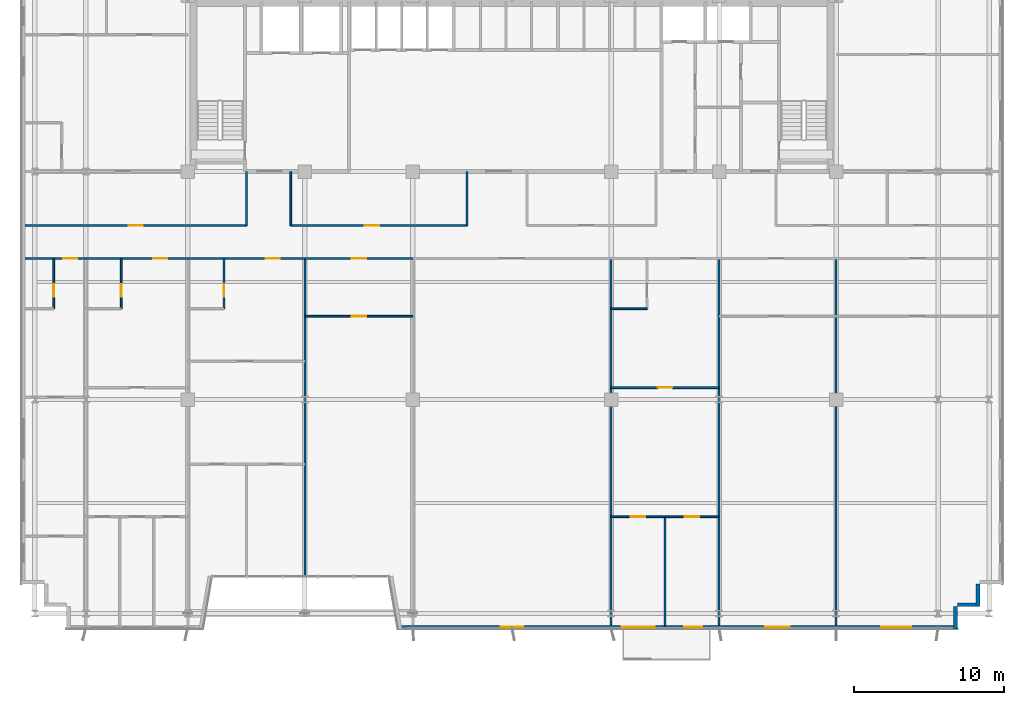
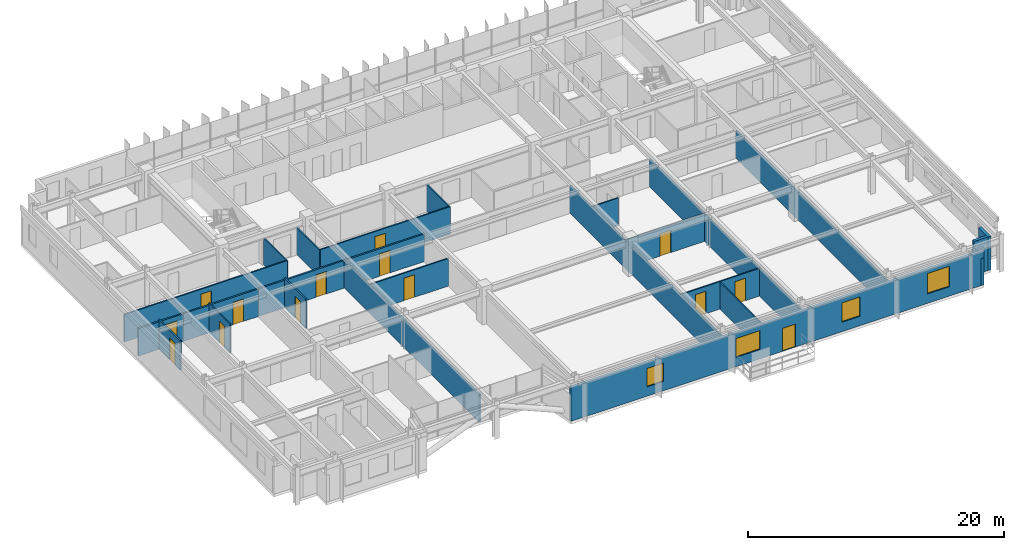
# One storey, part 19 of 25: 26 walls, 14 doors, 4 windows, 18 openings.
"""IFC4 building model written with IfcOpenShell, lengths in metres."""

from ifc_helpers import new_model, si_unit, direction, frame, frame_2d, origin, place, context, subcontext, project, spatial, rectangle, extrude, source, transform, mapped, material, layer, layer_set, type_object, element, fill, save


model = new_model("IFC4")

# Units and contexts
model_context = context("Model", 3, precision=1e-05, world=origin(), true_north=direction((0.0, 1.0)))
body_context = subcontext(model_context, "Body", "Model", "MODEL_VIEW")
ifc_project = project(units=[si_unit("LENGTHUNIT", "METRE"), si_unit("AREAUNIT", "SQUARE_METRE"), si_unit("VOLUMEUNIT", "CUBIC_METRE"), si_unit("PLANEANGLEUNIT", "RADIAN"), si_unit("MASSUNIT", "GRAM", prefix="KILO")], contexts=[model_context])

# Site, building, storey
site_placement = place(None, origin())
site = spatial("IfcSite", under=ifc_project, at=site_placement, CompositionType="ELEMENT")
building_placement = place(site_placement, origin())
building = spatial("IfcBuilding", under=site, at=building_placement, Name="Trelvane Seafront Commons", CompositionType="ELEMENT")
storey_placement = place(building_placement, frame((0.0, 0.0, 70.300048828125)))
storey = spatial("IfcBuildingStorey", under=building, at=storey_placement, Name="L18", CompositionType="ELEMENT", Elevation=70.300048828125)

# Walls
ifc_material_1 = material(Name="Precast concrete C40/50", Category="concrete")
ifc_layer_1 = layer(ifc_material_1, 0.260009765625, Name="ARCH-WALL-EXT260")
ifc_layer_set_1 = layer_set([ifc_layer_1], Name="Precast concrete C40/50")
wall_type_1 = type_object("IfcWallType", Name="ARCH-WALL-EXT260", PredefinedType="SOLIDWALL", material=ifc_layer_set_1)
for number, where, z_axis, x_axis, name in (
    (1, (68.27001953125, 5.89990234375, 0.0), (0.0, 0.0, 1.0), (0.0, -1.0, 0.0), "EW-L18-00341"),
    (2, (68.39990234375, 4.530029296875, 0.0), (0.0, 0.0, 1.0), (-1.0, 0.0, 0.0), "EW-L18-00342"),
):
    element("IfcWall", number, at=place(storey_placement, frame(where, z_axis=z_axis, x_axis=x_axis)), inside=storey, type_object=wall_type_1, Name=name, PredefinedType="SOLIDWALL", context=body_context, shape_type="SweptSolid", body=[
        extrude(rectangle(XDim=1.5, YDim=0.260009765625, at=frame_2d((0.75, 0.0))), origin(), (0.0, 0.0, 1.0), 3.219970703125),
    ])
wall_1_placement = place(storey_placement, frame((66.77001953125, 4.39990234375, 0.0), z_axis=(0.0, 0.0, 1.0), x_axis=(0.0, -1.0, 0.0)))
element("IfcWall", 3, at=wall_1_placement, inside=storey, type_object=wall_type_1, Name="EW-L18-00343", PredefinedType="SOLIDWALL", context=body_context, shape_type="SweptSolid", body=[
    extrude(rectangle(XDim=1.5, YDim=0.260009765625, at=frame_2d((0.75, 0.0))), origin(), (0.0, 0.0, 1.0), 2.570068359375),
])

# Wall, openings, door, windows
wall_2_placement = place(storey_placement, frame((66.89990234375, 3.030029296875, 0.0), z_axis=(0.0, 0.0, 1.0), x_axis=(-1.0, 0.0, 0.0)))
wall_2 = element("IfcWall", 4, at=wall_2_placement, inside=storey, type_object=wall_type_1, Name="EW-L18-00344", PredefinedType="SOLIDWALL", context=body_context, shape_type="SweptSolid", body=[
    extrude(rectangle(XDim=37.2998046875, YDim=0.260009765625, at=frame_2d((18.64990234375, 0.0))), origin(), (0.0, 0.0, 1.0), 3.219970703125),
])
opening_1_placement = place(wall_2_placement, frame((3.094970703125, 0.0, 0.89990234375)))
opening_1 = element("IfcOpeningElement", 5, at=opening_1_placement, cuts=wall_2, Name="Opening W06", PredefinedType="OPENING", context=body_context, shape_type="SweptSolid", body=[
    extrude(rectangle(XDim=2.0, YDim=1.949951171875, at=frame_2d((1.0, 0.97509765625))), frame((0.0, 0.139892578125, 0.0), z_axis=(0.0, -1.0, 0.0), x_axis=(1.0, 0.0, 0.0)), (0.0, 0.0, 1.0), 0.280029296875),
])
opening_2_placement = place(wall_2_placement, frame((11.175048828125, 0.0, 0.89990234375)))
opening_2 = element("IfcOpeningElement", 6, at=opening_2_placement, cuts=wall_2, Name="Opening W07", PredefinedType="OPENING", context=body_context, shape_type="SweptSolid", body=[
    extrude(rectangle(XDim=1.64990234375, YDim=1.85009765625, at=frame_2d((0.824951171875, 0.925048828125))), frame((0.0, 0.139892578125, 0.0), z_axis=(0.0, -1.0, 0.0), x_axis=(1.0, 0.0, 0.0)), (0.0, 0.0, 1.0), 0.280029296875),
])
opening_3_placement = place(wall_2_placement, frame((17.007080078125, 0.0, 0.0)))
opening_3 = element("IfcOpeningElement", 7, at=opening_3_placement, cuts=wall_2, Name="Opening BD-L18-45", PredefinedType="OPENING", context=body_context, shape_type="SweptSolid", body=[
    extrude(rectangle(XDim=1.199951171875, YDim=2.199951171875, at=frame_2d((0.60009765625, 1.10009765625))), frame((0.0, 0.139892578125, 0.0), z_axis=(0.0, -1.0, 0.0), x_axis=(1.0, 0.0, 0.0)), (0.0, 0.0, 1.0), 0.280029296875),
])
opening_4_placement = place(wall_2_placement, frame((20.199951171875, 0.0, 0.89990234375)))
opening_4 = element("IfcOpeningElement", 8, at=opening_4_placement, cuts=wall_2, Name="Opening W02", PredefinedType="OPENING", context=body_context, shape_type="SweptSolid", body=[
    extrude(rectangle(XDim=2.199951171875, YDim=1.800048828125, at=frame_2d((1.10009765625, 0.89990234375))), frame((0.0, 0.139892578125, 0.0), z_axis=(0.0, -1.0, 0.0), x_axis=(1.0, 0.0, 0.0)), (0.0, 0.0, 1.0), 0.280029296875),
])
opening_5_placement = place(wall_2_placement, frame((28.949951171875, 0.0, 0.89990234375)))
opening_5 = element("IfcOpeningElement", 9, at=opening_5_placement, cuts=wall_2, Name="Opening W03", PredefinedType="OPENING", context=body_context, shape_type="SweptSolid", body=[
    extrude(rectangle(XDim=1.5, YDim=1.75, at=frame_2d((0.75, 0.875))), frame((0.0, 0.139892578125, 0.0), z_axis=(0.0, -1.0, 0.0), x_axis=(1.0, 0.0, 0.0)), (0.0, 0.0, 1.0), 0.280029296875),
])
ifc_material_2 = material(Name="Powder-coated aluminium frame", Category="aluminium")
door_type_1 = type_object("IfcDoorType", Name="ARCH-DR-BAL1200", OperationType="NOTDEFINED", PredefinedType="DOOR", material=ifc_material_2)
shared_shape_1 = source(origin(), body_context, "Body", "SweptSolid", [
    extrude(rectangle(XDim=1.199951171875, YDim=2.199951171875, at=frame_2d((0.60009765625, 1.10009765625))), frame((0.0, 0.02490234375, 0.0), z_axis=(0.0, -1.0, 0.0), x_axis=(1.0, 0.0, 0.0)), (0.0, 0.0, 1.0), 0.050048828125),
])
door_1_placement = place(opening_3_placement, origin())
door_1 = element("IfcDoor", 10, at=door_1_placement, inside=storey, type_object=door_type_1, Name="L18 Balcony Terrace Access Door", OperationType="SINGLE_SWING_LEFT", OverallHeight=2.199951171875, OverallWidth=1.199951171875, PredefinedType="DOOR", context=body_context, shape_type="MappedRepresentation", body=[
    mapped(shared_shape_1, transform((0.0, 0.0, 0.0), x_axis=(1.0, 0.0, 0.0), y_axis=(0.0, 1.0, 0.0), z_axis=(0.0, 0.0, 1.0), scale=1.0)),
])
fill(opening_3, door_1)
ifc_material_3 = material(Name="Low-E coastal double glazing", Category="glass")
window_type_1 = type_object("IfcWindowType", Name="ARCH-WIN-W02", PartitioningType="SINGLE_PANEL", PredefinedType="WINDOW", material=ifc_material_3)
shared_shape_2 = source(origin(), body_context, "Body", "SweptSolid", [
    extrude(rectangle(XDim=2.199951171875, YDim=1.800048828125, at=frame_2d((1.10009765625, 0.89990234375))), frame((0.0, 0.030029296875, 0.0), z_axis=(0.0, -1.0, 0.0), x_axis=(1.0, 0.0, 0.0)), (0.0, 0.0, 1.0), 0.06005859375),
])
window_1_placement = place(opening_4_placement, origin())
window_1 = element("IfcWindow", 11, at=window_1_placement, inside=storey, type_object=window_type_1, Name="WIN-L18-00390", OverallHeight=1.800048828125, OverallWidth=2.199951171875, PartitioningType="SINGLE_PANEL", PredefinedType="WINDOW", context=body_context, shape_type="MappedRepresentation", body=[
    mapped(shared_shape_2, transform((0.0, 0.0, 0.0), x_axis=(1.0, 0.0, 0.0), y_axis=(0.0, 1.0, 0.0), z_axis=(0.0, 0.0, 1.0), scale=1.0)),
])
fill(opening_4, window_1)
window_type_2 = type_object("IfcWindowType", Name="ARCH-WIN-W03", PartitioningType="SINGLE_PANEL", PredefinedType="WINDOW", material=ifc_material_3)
shared_shape_3 = source(origin(), body_context, "Body", "SweptSolid", [
    extrude(rectangle(XDim=1.5, YDim=1.75, at=frame_2d((0.75, 0.875))), frame((0.0, 0.030029296875, 0.0), z_axis=(0.0, -1.0, 0.0), x_axis=(1.0, 0.0, 0.0)), (0.0, 0.0, 1.0), 0.06005859375),
])
window_2_placement = place(opening_5_placement, origin())
window_2 = element("IfcWindow", 12, at=window_2_placement, inside=storey, type_object=window_type_2, Name="WIN-L18-00391", OverallHeight=1.75, OverallWidth=1.5, PartitioningType="SINGLE_PANEL", PredefinedType="WINDOW", context=body_context, shape_type="MappedRepresentation", body=[
    mapped(shared_shape_3, transform((0.0, 0.0, 0.0), x_axis=(1.0, 0.0, 0.0), y_axis=(0.0, 1.0, 0.0), z_axis=(0.0, 0.0, 1.0), scale=1.0)),
])
fill(opening_5, window_2)
window_type_3 = type_object("IfcWindowType", Name="ARCH-WIN-W06", PartitioningType="SINGLE_PANEL", PredefinedType="WINDOW", material=ifc_material_3)
shared_shape_4 = source(origin(), body_context, "Body", "SweptSolid", [
    extrude(rectangle(XDim=2.0, YDim=1.949951171875, at=frame_2d((1.0, 0.97509765625))), frame((0.0, 0.030029296875, 0.0), z_axis=(0.0, -1.0, 0.0), x_axis=(1.0, 0.0, 0.0)), (0.0, 0.0, 1.0), 0.06005859375),
])
window_3_placement = place(opening_1_placement, origin())
window_3 = element("IfcWindow", 13, at=window_3_placement, inside=storey, type_object=window_type_3, Name="WIN-L18-00388", OverallHeight=1.949951171875, OverallWidth=2.0, PartitioningType="SINGLE_PANEL", PredefinedType="WINDOW", context=body_context, shape_type="MappedRepresentation", body=[
    mapped(shared_shape_4, transform((0.0, 0.0, 0.0), x_axis=(1.0, 0.0, 0.0), y_axis=(0.0, 1.0, 0.0), z_axis=(0.0, 0.0, 1.0), scale=1.0)),
])
fill(opening_1, window_3)
window_type_4 = type_object("IfcWindowType", Name="ARCH-WIN-W07", PartitioningType="SINGLE_PANEL", PredefinedType="WINDOW", material=ifc_material_3)
shared_shape_5 = source(origin(), body_context, "Body", "SweptSolid", [
    extrude(rectangle(XDim=1.64990234375, YDim=1.85009765625, at=frame_2d((0.824951171875, 0.925048828125))), frame((0.0, 0.030029296875, 0.0), z_axis=(0.0, -1.0, 0.0), x_axis=(1.0, 0.0, 0.0)), (0.0, 0.0, 1.0), 0.06005859375),
])
window_4_placement = place(opening_2_placement, origin())
window_4 = element("IfcWindow", 14, at=window_4_placement, inside=storey, type_object=window_type_4, Name="WIN-L18-00389", OverallHeight=1.85009765625, OverallWidth=1.64990234375, PartitioningType="SINGLE_PANEL", PredefinedType="WINDOW", context=body_context, shape_type="MappedRepresentation", body=[
    mapped(shared_shape_5, transform((0.0, 0.0, 0.0), x_axis=(1.0, 0.0, 0.0), y_axis=(0.0, 1.0, 0.0), z_axis=(0.0, 0.0, 1.0), scale=1.0)),
])
fill(opening_2, window_4)

# Wall, opening, door
ifc_material_4 = material(Name="Gypsum Drywall Acoustic Partition")
ifc_layer_2 = layer(ifc_material_4, 0.1201171875, Name="ARCH-WALL-PART120")
ifc_layer_set_2 = layer_set([ifc_layer_2], Name="Gypsum Drywall Acoustic Partition")
wall_type_2 = type_object("IfcWallType", Name="ARCH-WALL-PART120", PredefinedType="PARTITIONING", material=ifc_layer_set_2)
wall_3_placement = place(storey_placement, frame((4.75, 29.800048828125, 0.0), z_axis=(0.0, 0.0, 1.0), x_axis=(1.0, 0.0, 0.0)))
wall_3 = element("IfcWall", 15, at=wall_3_placement, inside=storey, type_object=wall_type_2, Name="W-L18-CORR-N-W-038", PredefinedType="PARTITIONING", context=body_context, shape_type="SweptSolid", body=[
    extrude(rectangle(XDim=14.75, YDim=0.1201171875, at=frame_2d((7.375, 0.0))), origin(), (0.0, 0.0, 1.0), 2.6318359375),
])
opening_6_placement = place(wall_3_placement, frame((6.89990234375, 0.0, 0.0)))
opening_6 = element("IfcOpeningElement", 16, at=opening_6_placement, cuts=wall_3, Name="Opening D-L18-18", PredefinedType="OPENING", context=body_context, shape_type="SweptSolid", body=[
    extrude(rectangle(XDim=0.949951171875, YDim=2.14990234375, at=frame_2d((0.47509765625, 1.074951171875))), frame((0.0, 0.070068359375, 0.0), z_axis=(0.0, -1.0, 0.0), x_axis=(1.0, 0.0, 0.0)), (0.0, 0.0, 1.0), 0.14013671875),
])
ifc_material_5 = material(Name="Acoustic timber door leaf", Category="wood")
door_type_2 = type_object("IfcDoorType", Name="ARCH-DR-INT950", OperationType="NOTDEFINED", PredefinedType="DOOR", material=ifc_material_5)
shared_shape_6 = source(origin(), body_context, "Body", "SweptSolid", [
    extrude(rectangle(XDim=0.949951171875, YDim=2.14990234375, at=frame_2d((0.47509765625, 1.074951171875))), frame((0.0, 0.02490234375, 0.0), z_axis=(0.0, -1.0, 0.0), x_axis=(1.0, 0.0, 0.0)), (0.0, 0.0, 1.0), 0.050048828125),
])
door_2_placement = place(opening_6_placement, origin())
door_2 = element("IfcDoor", 17, at=door_2_placement, inside=storey, type_object=door_type_2, Name="L18 Door 18", OperationType="SINGLE_SWING_RIGHT", OverallHeight=2.14990234375, OverallWidth=0.949951171875, PredefinedType="DOOR", context=body_context, shape_type="MappedRepresentation", body=[
    mapped(shared_shape_6, transform((0.0, 0.0, 0.0), x_axis=(1.0, 0.0, 0.0), y_axis=(0.0, 1.0, 0.0), z_axis=(0.0, 0.0, 1.0), scale=1.0)),
])
fill(opening_6, door_2)

wall_4_placement = place(storey_placement, frame((22.449951171875, 29.800048828125, 0.0), z_axis=(0.0, 0.0, 1.0), x_axis=(1.0, 0.0, 0.0)))
wall_4 = element("IfcWall", 18, at=wall_4_placement, inside=storey, type_object=wall_type_2, Name="W-L18-CORR-N-M1-039", PredefinedType="PARTITIONING", context=body_context, shape_type="SweptSolid", body=[
    extrude(rectangle(XDim=11.75, YDim=0.1201171875, at=frame_2d((5.875, 0.0))), origin(), (0.0, 0.0, 1.0), 2.6318359375),
])
opening_7_placement = place(wall_4_placement, frame((4.944091796875, 0.0, 0.0)))
opening_7 = element("IfcOpeningElement", 19, at=opening_7_placement, cuts=wall_4, Name="Opening D-L18-19", PredefinedType="OPENING", context=body_context, shape_type="SweptSolid", body=[
    extrude(rectangle(XDim=0.949951171875, YDim=2.14990234375, at=frame_2d((0.47509765625, 1.074951171875))), frame((0.0, 0.070068359375, 0.0), z_axis=(0.0, -1.0, 0.0), x_axis=(1.0, 0.0, 0.0)), (0.0, 0.0, 1.0), 0.14013671875),
])
door_3_placement = place(opening_7_placement, origin())
door_3 = element("IfcDoor", 20, at=door_3_placement, inside=storey, type_object=door_type_2, Name="L18 Door 19", OperationType="SINGLE_SWING_LEFT", OverallHeight=2.14990234375, OverallWidth=0.949951171875, PredefinedType="DOOR", context=body_context, shape_type="MappedRepresentation", body=[
    mapped(shared_shape_6, transform((0.0, 0.0, 0.0), x_axis=(1.0, 0.0, 0.0), y_axis=(0.0, 1.0, 0.0), z_axis=(0.0, 0.0, 1.0), scale=1.0)),
])
fill(opening_7, door_3)

# Walls
for number, where, z_axis, x_axis, name in (
    (21, (19.5, 29.800048828125, 0.0), (0.0, 0.0, 1.0), (0.0, 1.0, 0.0), "W-L18-N-SPUR-W1-043"),
    (22, (22.449951171875, 29.800048828125, 0.0), (0.0, 0.0, 1.0), (0.0, 1.0, 0.0), "W-L18-N-SPUR-W2-044"),
    (23, (34.199951171875, 29.800048828125, 0.0), (0.0, 0.0, 1.0), (0.0, 1.0, 0.0), "W-L18-N-SPUR-M1-045"),
):
    element("IfcWall", number, at=place(storey_placement, frame(where, z_axis=z_axis, x_axis=x_axis)), inside=storey, type_object=wall_type_2, Name=name, PredefinedType="PARTITIONING", context=body_context, shape_type="SweptSolid", body=[
        extrude(rectangle(XDim=3.599853515625, YDim=0.1201171875, at=frame_2d((1.7998046875, 0.0))), origin(), (0.0, 0.0, 1.0), 2.570068359375),
    ])

# Wall, opening, door
wall_5_placement = place(storey_placement, frame((6.659912109375, 24.25, 0.0), z_axis=(0.0, 0.0, 1.0), x_axis=(0.0, 1.0, 0.0)))
wall_5 = element("IfcWall", 24, at=wall_5_placement, inside=storey, type_object=wall_type_2, Name="W-L18-U1-BE-068", PredefinedType="PARTITIONING", context=body_context, shape_type="SweptSolid", body=[
    extrude(rectangle(XDim=3.35009765625, YDim=0.1201171875, at=frame_2d((1.675048828125, 0.0))), origin(), (0.0, 0.0, 1.0), 2.820068359375),
])
opening_8_placement = place(wall_5_placement, frame((0.800048828125, 0.0, 0.0)))
opening_8 = element("IfcOpeningElement", 25, at=opening_8_placement, cuts=wall_5, Name="Opening D-L18-33", PredefinedType="OPENING", context=body_context, shape_type="SweptSolid", body=[
    extrude(rectangle(XDim=0.85009765625, YDim=2.10009765625, at=frame_2d((0.425048828125, 1.050048828125))), frame((0.0, 0.070068359375, 0.0), z_axis=(0.0, -1.0, 0.0), x_axis=(1.0, 0.0, 0.0)), (0.0, 0.0, 1.0), 0.14013671875),
])
door_type_3 = type_object("IfcDoorType", Name="ARCH-DR-INT850", OperationType="NOTDEFINED", PredefinedType="DOOR", material=ifc_material_5)
shared_shape_7 = source(origin(), body_context, "Body", "SweptSolid", [
    extrude(rectangle(XDim=0.85009765625, YDim=2.10009765625, at=frame_2d((0.425048828125, 1.050048828125))), frame((0.0, 0.02490234375, 0.0), z_axis=(0.0, -1.0, 0.0), x_axis=(1.0, 0.0, 0.0)), (0.0, 0.0, 1.0), 0.050048828125),
])
door_4_placement = place(opening_8_placement, origin())
door_4 = element("IfcDoor", 26, at=door_4_placement, inside=storey, type_object=door_type_3, Name="L18 Door 33", OperationType="SINGLE_SWING_LEFT", OverallHeight=2.10009765625, OverallWidth=0.85009765625, PredefinedType="DOOR", context=body_context, shape_type="MappedRepresentation", body=[
    mapped(shared_shape_7, transform((0.0, 0.0, 0.0), x_axis=(1.0, 0.0, 0.0), y_axis=(0.0, 1.0, 0.0), z_axis=(0.0, 0.0, 1.0), scale=1.0)),
])
fill(opening_8, door_4)

wall_6_placement = place(storey_placement, frame((11.162109375, 24.25, 0.0), z_axis=(0.0, 0.0, 1.0), x_axis=(0.0, 1.0, 0.0)))
wall_6 = element("IfcWall", 27, at=wall_6_placement, inside=storey, type_object=wall_type_2, Name="W-L18-U2-BE-073", PredefinedType="PARTITIONING", context=body_context, shape_type="SweptSolid", body=[
    extrude(rectangle(XDim=3.35009765625, YDim=0.1201171875, at=frame_2d((1.675048828125, 0.0))), origin(), (0.0, 0.0, 1.0), 2.820068359375),
])
opening_9_placement = place(wall_6_placement, frame((0.800048828125, 0.0, 0.0)))
opening_9 = element("IfcOpeningElement", 28, at=opening_9_placement, cuts=wall_6, Name="Opening D-L18-37", PredefinedType="OPENING", context=body_context, shape_type="SweptSolid", body=[
    extrude(rectangle(XDim=0.85009765625, YDim=2.10009765625, at=frame_2d((0.425048828125, 1.050048828125))), frame((0.0, 0.070068359375, 0.0), z_axis=(0.0, -1.0, 0.0), x_axis=(1.0, 0.0, 0.0)), (0.0, 0.0, 1.0), 0.14013671875),
])
door_5_placement = place(opening_9_placement, origin())
door_5 = element("IfcDoor", 29, at=door_5_placement, inside=storey, type_object=door_type_3, Name="L18 Door 37", OperationType="SINGLE_SWING_LEFT", OverallHeight=2.10009765625, OverallWidth=0.85009765625, PredefinedType="DOOR", context=body_context, shape_type="MappedRepresentation", body=[
    mapped(shared_shape_7, transform((0.0, 0.0, 0.0), x_axis=(1.0, 0.0, 0.0), y_axis=(0.0, 1.0, 0.0), z_axis=(0.0, 0.0, 1.0), scale=1.0)),
])
fill(opening_9, door_5)

wall_7_placement = place(storey_placement, frame((18.0, 24.25, 0.0), z_axis=(0.0, 0.0, 1.0), x_axis=(0.0, 1.0, 0.0)))
wall_7 = element("IfcWall", 30, at=wall_7_placement, inside=storey, type_object=wall_type_2, Name="W-L18-U3-BE-082", PredefinedType="PARTITIONING", context=body_context, shape_type="SweptSolid", body=[
    extrude(rectangle(XDim=3.35009765625, YDim=0.1201171875, at=frame_2d((1.675048828125, 0.0))), origin(), (0.0, 0.0, 1.0), 2.820068359375),
])
opening_10_placement = place(wall_7_placement, frame((0.800048828125, 0.0, 0.0)))
opening_10 = element("IfcOpeningElement", 31, at=opening_10_placement, cuts=wall_7, Name="Opening D-L18-43", PredefinedType="OPENING", context=body_context, shape_type="SweptSolid", body=[
    extrude(rectangle(XDim=0.85009765625, YDim=2.10009765625, at=frame_2d((0.425048828125, 1.050048828125))), frame((0.0, 0.070068359375, 0.0), z_axis=(0.0, -1.0, 0.0), x_axis=(1.0, 0.0, 0.0)), (0.0, 0.0, 1.0), 0.14013671875),
])
door_6_placement = place(opening_10_placement, origin())
door_6 = element("IfcDoor", 32, at=door_6_placement, inside=storey, type_object=door_type_3, Name="L18 Door 43", OperationType="SINGLE_SWING_LEFT", OverallHeight=2.10009765625, OverallWidth=0.85009765625, PredefinedType="DOOR", context=body_context, shape_type="MappedRepresentation", body=[
    mapped(shared_shape_7, transform((0.0, 0.0, 0.0), x_axis=(1.0, 0.0, 0.0), y_axis=(0.0, 1.0, 0.0), z_axis=(0.0, 0.0, 1.0), scale=1.0)),
])
fill(opening_10, door_6)

wall_8_placement = place(storey_placement, frame((23.39990234375, 23.75, 0.0), z_axis=(0.0, 0.0, 1.0), x_axis=(1.0, 0.0, 0.0)))
wall_8 = element("IfcWall", 33, at=wall_8_placement, inside=storey, type_object=wall_type_2, Name="W-L18-U4-DIV-089", PredefinedType="PARTITIONING", context=body_context, shape_type="SweptSolid", body=[
    extrude(rectangle(XDim=7.2001953125, YDim=0.1201171875, at=frame_2d((3.60009765625, 0.0))), origin(), (0.0, 0.0, 1.0), 2.6318359375),
])
opening_11_placement = place(wall_8_placement, frame((3.125, 0.0, 0.0)))
opening_11 = element("IfcOpeningElement", 34, at=opening_11_placement, cuts=wall_8, Name="Opening D-L18-48", PredefinedType="OPENING", context=body_context, shape_type="SweptSolid", body=[
    extrude(rectangle(XDim=0.949951171875, YDim=2.14990234375, at=frame_2d((0.47509765625, 1.074951171875))), frame((0.0, 0.070068359375, 0.0), z_axis=(0.0, -1.0, 0.0), x_axis=(1.0, 0.0, 0.0)), (0.0, 0.0, 1.0), 0.14013671875),
])
door_7_placement = place(opening_11_placement, origin())
door_7 = element("IfcDoor", 35, at=door_7_placement, inside=storey, type_object=door_type_2, Name="L18 Door 48", OperationType="SINGLE_SWING_RIGHT", OverallHeight=2.14990234375, OverallWidth=0.949951171875, PredefinedType="DOOR", context=body_context, shape_type="MappedRepresentation", body=[
    mapped(shared_shape_6, transform((0.0, 0.0, 0.0), x_axis=(1.0, 0.0, 0.0), y_axis=(0.0, 1.0, 0.0), z_axis=(0.0, 0.0, 1.0), scale=1.0)),
])
fill(opening_11, door_7)

wall_9_placement = place(storey_placement, frame((43.800048828125, 19.0, 0.0), z_axis=(0.0, 0.0, 1.0), x_axis=(1.0, 0.0, 0.0)))
wall_9 = element("IfcWall", 36, at=wall_9_placement, inside=storey, type_object=wall_type_2, Name="W-L18-U6-KL-091", PredefinedType="PARTITIONING", context=body_context, shape_type="SweptSolid", body=[
    extrude(rectangle(XDim=7.199951171875, YDim=0.1201171875, at=frame_2d((3.60009765625, 0.0))), origin(), (0.0, 0.0, 1.0), 2.6318359375),
])
opening_12_placement = place(wall_9_placement, frame((3.125, 0.0, 0.0)))
opening_12 = element("IfcOpeningElement", 37, at=opening_12_placement, cuts=wall_9, Name="Opening D-L18-50", PredefinedType="OPENING", context=body_context, shape_type="SweptSolid", body=[
    extrude(rectangle(XDim=0.949951171875, YDim=2.14990234375, at=frame_2d((0.47509765625, 1.074951171875))), frame((0.0, 0.070068359375, 0.0), z_axis=(0.0, -1.0, 0.0), x_axis=(1.0, 0.0, 0.0)), (0.0, 0.0, 1.0), 0.14013671875),
])
door_8_placement = place(opening_12_placement, origin())
door_8 = element("IfcDoor", 38, at=door_8_placement, inside=storey, type_object=door_type_2, Name="L18 Door 50", OperationType="SINGLE_SWING_RIGHT", OverallHeight=2.14990234375, OverallWidth=0.949951171875, PredefinedType="DOOR", context=body_context, shape_type="MappedRepresentation", body=[
    mapped(shared_shape_6, transform((0.0, 0.0, 0.0), x_axis=(1.0, 0.0, 0.0), y_axis=(0.0, 1.0, 0.0), z_axis=(0.0, 0.0, 1.0), scale=1.0)),
])
fill(opening_12, door_8)

# Wall
wall_10_placement = place(storey_placement, frame((43.800048828125, 24.25, 0.0), z_axis=(0.0, 0.0, 1.0), x_axis=(1.0, 0.0, 0.0)))
element("IfcWall", 39, at=wall_10_placement, inside=storey, type_object=wall_type_2, Name="W-L18-U6-BS-093", PredefinedType="PARTITIONING", context=body_context, shape_type="SweptSolid", body=[
    extrude(rectangle(XDim=2.39990234375, YDim=0.1201171875, at=frame_2d((1.199951171875, 0.0))), origin(), (0.0, 0.0, 1.0), 2.6318359375),
])

# Wall, opening, door
wall_11_placement = place(storey_placement, frame((43.800048828125, 10.39990234375, 0.0), z_axis=(0.0, 0.0, 1.0), x_axis=(1.0, 0.0, 0.0)))
wall_11 = element("IfcWall", 40, at=wall_11_placement, inside=storey, type_object=wall_type_2, Name="W-L18-U6-YM-1-095", PredefinedType="PARTITIONING", context=body_context, shape_type="SweptSolid", body=[
    extrude(rectangle(XDim=3.599853515625, YDim=0.1201171875, at=frame_2d((1.7998046875, 0.0))), origin(), (0.0, 0.0, 1.0), 2.6318359375),
])
opening_13_placement = place(wall_11_placement, frame((1.324951171875, 0.0, 0.0)))
opening_13 = element("IfcOpeningElement", 41, at=opening_13_placement, cuts=wall_11, Name="Opening D-L18-53", PredefinedType="OPENING", context=body_context, shape_type="SweptSolid", body=[
    extrude(rectangle(XDim=0.949951171875, YDim=2.14990234375, at=frame_2d((0.47509765625, 1.074951171875))), frame((0.0, 0.070068359375, 0.0), z_axis=(0.0, -1.0, 0.0), x_axis=(1.0, 0.0, 0.0)), (0.0, 0.0, 1.0), 0.14013671875),
])
door_9_placement = place(opening_13_placement, origin())
door_9 = element("IfcDoor", 42, at=door_9_placement, inside=storey, type_object=door_type_2, Name="L18 Door 53", OperationType="SINGLE_SWING_LEFT", OverallHeight=2.14990234375, OverallWidth=0.949951171875, PredefinedType="DOOR", context=body_context, shape_type="MappedRepresentation", body=[
    mapped(shared_shape_6, transform((0.0, 0.0, 0.0), x_axis=(1.0, 0.0, 0.0), y_axis=(0.0, 1.0, 0.0), z_axis=(0.0, 0.0, 1.0), scale=1.0)),
])
fill(opening_13, door_9)

wall_12_placement = place(storey_placement, frame((47.39990234375, 10.39990234375, 0.0), z_axis=(0.0, 0.0, 1.0), x_axis=(1.0, 0.0, 0.0)))
wall_12 = element("IfcWall", 43, at=wall_12_placement, inside=storey, type_object=wall_type_2, Name="W-L18-U6-YM-2-096", PredefinedType="PARTITIONING", context=body_context, shape_type="SweptSolid", body=[
    extrude(rectangle(XDim=3.60009765625, YDim=0.1201171875, at=frame_2d((1.800048828125, 0.0))), origin(), (0.0, 0.0, 1.0), 2.6318359375),
])
opening_14_placement = place(wall_12_placement, frame((1.324951171875, 0.0, 0.0)))
opening_14 = element("IfcOpeningElement", 44, at=opening_14_placement, cuts=wall_12, Name="Opening D-L18-54", PredefinedType="OPENING", context=body_context, shape_type="SweptSolid", body=[
    extrude(rectangle(XDim=0.949951171875, YDim=2.14990234375, at=frame_2d((0.47509765625, 1.074951171875))), frame((0.0, 0.070068359375, 0.0), z_axis=(0.0, -1.0, 0.0), x_axis=(1.0, 0.0, 0.0)), (0.0, 0.0, 1.0), 0.14013671875),
])
door_10_placement = place(opening_14_placement, origin())
door_10 = element("IfcDoor", 45, at=door_10_placement, inside=storey, type_object=door_type_2, Name="L18 Door 54", OperationType="SINGLE_SWING_RIGHT", OverallHeight=2.14990234375, OverallWidth=0.949951171875, PredefinedType="DOOR", context=body_context, shape_type="MappedRepresentation", body=[
    mapped(shared_shape_6, transform((0.0, 0.0, 0.0), x_axis=(1.0, 0.0, 0.0), y_axis=(0.0, 1.0, 0.0), z_axis=(0.0, 0.0, 1.0), scale=1.0)),
])
fill(opening_14, door_10)

# Walls
wall_13_placement = place(storey_placement, frame((47.39990234375, 3.14501953125, 0.0), z_axis=(0.0, 0.0, 1.0), x_axis=(0.0, 1.0, 0.0)))
element("IfcWall", 46, at=wall_13_placement, inside=storey, type_object=wall_type_2, Name="W-L18-U6-BDV-1-097", PredefinedType="PARTITIONING", context=body_context, shape_type="SweptSolid", body=[
    extrude(rectangle(XDim=7.2548828125, YDim=0.1201171875, at=frame_2d((3.62744140625, 0.0))), origin(), (0.0, 0.0, 1.0), 2.570068359375),
])
ifc_layer_3 = layer(ifc_material_4, 0.14990234375, Name="ARCH-WALL-PART150")
ifc_layer_set_3 = layer_set([ifc_layer_3], Name="Gypsum Drywall Acoustic Partition")
wall_type_3 = type_object("IfcWallType", Name="ARCH-WALL-PART150", PredefinedType="PARTITIONING", material=ifc_layer_set_3)
wall_14_placement = place(storey_placement, frame((23.39990234375, 6.409912109375, 0.0), z_axis=(0.0, 0.0, 1.0), x_axis=(0.0, 1.0, 0.0)))
element("IfcWall", 47, at=wall_14_placement, inside=storey, type_object=wall_type_3, Name="W-L18-PW-3-062", PredefinedType="PARTITIONING", context=body_context, shape_type="SweptSolid", body=[
    extrude(rectangle(XDim=21.190185546875, YDim=0.14990234375, at=frame_2d((10.59521484375, 0.0))), origin(), (0.0, 0.0, 1.0), 2.6318359375),
])
for number, where, z_axis, x_axis, name in (
    (48, (43.800048828125, 3.14501953125, 0.0), (0.0, 0.0, 1.0), (0.0, 1.0, 0.0), "W-L18-PW-5-064"),
    (49, (51.0, 3.14501953125, 0.0), (0.0, 0.0, 1.0), (0.0, 1.0, 0.0), "W-L18-PW-6-065"),
    (50, (58.800048828125, 3.14501953125, 0.0), (0.0, 0.0, 1.0), (0.0, 1.0, 0.0), "W-L18-PW-7-066"),
):
    element("IfcWall", number, at=place(storey_placement, frame(where, z_axis=z_axis, x_axis=x_axis)), inside=storey, type_object=wall_type_3, Name=name, PredefinedType="PARTITIONING", context=body_context, shape_type="SweptSolid", body=[
        extrude(rectangle(XDim=24.455078125, YDim=0.14990234375, at=frame_2d((12.2275390625, 0.0))), origin(), (0.0, 0.0, 1.0), 2.6318359375),
    ])

# Wall, opening, door
wall_15_placement = place(storey_placement, frame((4.7451171875, 27.60009765625, 0.0), z_axis=(0.0, 0.0, 1.0), x_axis=(1.0, 0.0, 0.0)))
wall_15 = element("IfcWall", 51, at=wall_15_placement, inside=storey, type_object=wall_type_3, Name="W-L18-CS-BAY-1-070", PredefinedType="PARTITIONING", context=body_context, shape_type="SweptSolid", body=[
    extrude(rectangle(XDim=4.054931640625, YDim=0.14990234375, at=frame_2d((2.02734375, 0.0))), origin(), (0.0, 0.0, 1.0), 2.6318359375),
])
opening_15_placement = place(wall_15_placement, frame((2.5439453125, 0.0, 0.0)))
opening_15 = element("IfcOpeningElement", 52, at=opening_15_placement, cuts=wall_15, Name="Opening FD-L18-34", PredefinedType="OPENING", context=body_context, shape_type="SweptSolid", body=[
    extrude(rectangle(XDim=0.949951171875, YDim=2.14990234375, at=frame_2d((0.47509765625, 1.074951171875))), frame((0.0, 0.0849609375, 0.0), z_axis=(0.0, -1.0, 0.0), x_axis=(1.0, 0.0, 0.0)), (0.0, 0.0, 1.0), 0.169921875),
])
door_type_4 = type_object("IfcDoorType", Name="ARCH-DR-FD60-950", OperationType="NOTDEFINED", PredefinedType="DOOR", material=ifc_material_2)
door_11_placement = place(opening_15_placement, origin())
door_11 = element("IfcDoor", 53, at=door_11_placement, inside=storey, type_object=door_type_4, Name="L18 Unit 01 Entrance Door", OperationType="SINGLE_SWING_RIGHT", OverallHeight=2.14990234375, OverallWidth=0.949951171875, PredefinedType="DOOR", context=body_context, shape_type="MappedRepresentation", body=[
    mapped(shared_shape_6, transform((0.0, 0.0, 0.0), x_axis=(1.0, 0.0, 0.0), y_axis=(0.0, 1.0, 0.0), z_axis=(0.0, 0.0, 1.0), scale=1.0)),
])
fill(opening_15, door_11)

wall_16_placement = place(storey_placement, frame((8.800048828125, 27.60009765625, 0.0), z_axis=(0.0, 0.0, 1.0), x_axis=(1.0, 0.0, 0.0)))
wall_16 = element("IfcWall", 54, at=wall_16_placement, inside=storey, type_object=wall_type_3, Name="W-L18-CS-BAY-2-075", PredefinedType="PARTITIONING", context=body_context, shape_type="SweptSolid", body=[
    extrude(rectangle(XDim=6.800048828125, YDim=0.14990234375, at=frame_2d((3.39990234375, 0.0))), origin(), (0.0, 0.0, 1.0), 2.6318359375),
])
opening_16_placement = place(wall_16_placement, frame((4.489990234375, 0.0, 0.0)))
opening_16 = element("IfcOpeningElement", 55, at=opening_16_placement, cuts=wall_16, Name="Opening FD-L18-38", PredefinedType="OPENING", context=body_context, shape_type="SweptSolid", body=[
    extrude(rectangle(XDim=0.949951171875, YDim=2.14990234375, at=frame_2d((0.47509765625, 1.074951171875))), frame((0.0, 0.0849609375, 0.0), z_axis=(0.0, -1.0, 0.0), x_axis=(1.0, 0.0, 0.0)), (0.0, 0.0, 1.0), 0.169921875),
])
door_12_placement = place(opening_16_placement, origin())
door_12 = element("IfcDoor", 56, at=door_12_placement, inside=storey, type_object=door_type_4, Name="L18 Unit 02 Entrance Door", OperationType="SINGLE_SWING_RIGHT", OverallHeight=2.14990234375, OverallWidth=0.949951171875, PredefinedType="DOOR", context=body_context, shape_type="MappedRepresentation", body=[
    mapped(shared_shape_6, transform((0.0, 0.0, 0.0), x_axis=(1.0, 0.0, 0.0), y_axis=(0.0, 1.0, 0.0), z_axis=(0.0, 0.0, 1.0), scale=1.0)),
])
fill(opening_16, door_12)

wall_17_placement = place(storey_placement, frame((15.60009765625, 27.60009765625, 0.0), z_axis=(0.0, 0.0, 1.0), x_axis=(1.0, 0.0, 0.0)))
wall_17 = element("IfcWall", 57, at=wall_17_placement, inside=storey, type_object=wall_type_3, Name="W-L18-CS-BAY-3-084", PredefinedType="PARTITIONING", context=body_context, shape_type="SweptSolid", body=[
    extrude(rectangle(XDim=7.7998046875, YDim=0.14990234375, at=frame_2d((3.89990234375, 0.0))), origin(), (0.0, 0.0, 1.0), 2.6318359375),
])
opening_17_placement = place(wall_17_placement, frame((5.172119140625, 0.0, 0.0)))
opening_17 = element("IfcOpeningElement", 58, at=opening_17_placement, cuts=wall_17, Name="Opening FD-L18-44", PredefinedType="OPENING", context=body_context, shape_type="SweptSolid", body=[
    extrude(rectangle(XDim=0.949951171875, YDim=2.14990234375, at=frame_2d((0.47509765625, 1.074951171875))), frame((0.0, 0.0849609375, 0.0), z_axis=(0.0, -1.0, 0.0), x_axis=(1.0, 0.0, 0.0)), (0.0, 0.0, 1.0), 0.169921875),
])
door_13_placement = place(opening_17_placement, origin())
door_13 = element("IfcDoor", 59, at=door_13_placement, inside=storey, type_object=door_type_4, Name="L18 Unit 03 Entrance Door", OperationType="SINGLE_SWING_RIGHT", OverallHeight=2.14990234375, OverallWidth=0.949951171875, PredefinedType="DOOR", context=body_context, shape_type="MappedRepresentation", body=[
    mapped(shared_shape_6, transform((0.0, 0.0, 0.0), x_axis=(1.0, 0.0, 0.0), y_axis=(0.0, 1.0, 0.0), z_axis=(0.0, 0.0, 1.0), scale=1.0)),
])
fill(opening_17, door_13)

wall_18_placement = place(storey_placement, frame((23.39990234375, 27.60009765625, 0.0), z_axis=(0.0, 0.0, 1.0), x_axis=(1.0, 0.0, 0.0)))
wall_18 = element("IfcWall", 60, at=wall_18_placement, inside=storey, type_object=wall_type_3, Name="W-L18-CS-BAY-4-088", PredefinedType="PARTITIONING", context=body_context, shape_type="SweptSolid", body=[
    extrude(rectangle(XDim=7.2001953125, YDim=0.14990234375, at=frame_2d((3.60009765625, 0.0))), origin(), (0.0, 0.0, 1.0), 2.6318359375),
])
opening_18_placement = place(wall_18_placement, frame((3.125, 0.0, 0.0)))
opening_18 = element("IfcOpeningElement", 61, at=opening_18_placement, cuts=wall_18, Name="Opening FD-L18-47", PredefinedType="OPENING", context=body_context, shape_type="SweptSolid", body=[
    extrude(rectangle(XDim=0.949951171875, YDim=2.14990234375, at=frame_2d((0.47509765625, 1.074951171875))), frame((0.0, 0.0849609375, 0.0), z_axis=(0.0, -1.0, 0.0), x_axis=(1.0, 0.0, 0.0)), (0.0, 0.0, 1.0), 0.169921875),
])
door_14_placement = place(opening_18_placement, origin())
door_14 = element("IfcDoor", 62, at=door_14_placement, inside=storey, type_object=door_type_4, Name="L18 Bay 04 Entrance Door", OperationType="SINGLE_SWING_LEFT", OverallHeight=2.14990234375, OverallWidth=0.949951171875, PredefinedType="DOOR", context=body_context, shape_type="MappedRepresentation", body=[
    mapped(shared_shape_6, transform((0.0, 0.0, 0.0), x_axis=(1.0, 0.0, 0.0), y_axis=(0.0, 1.0, 0.0), z_axis=(0.0, 0.0, 1.0), scale=1.0)),
])
fill(opening_18, door_14)

save(model, "model.ifc")
